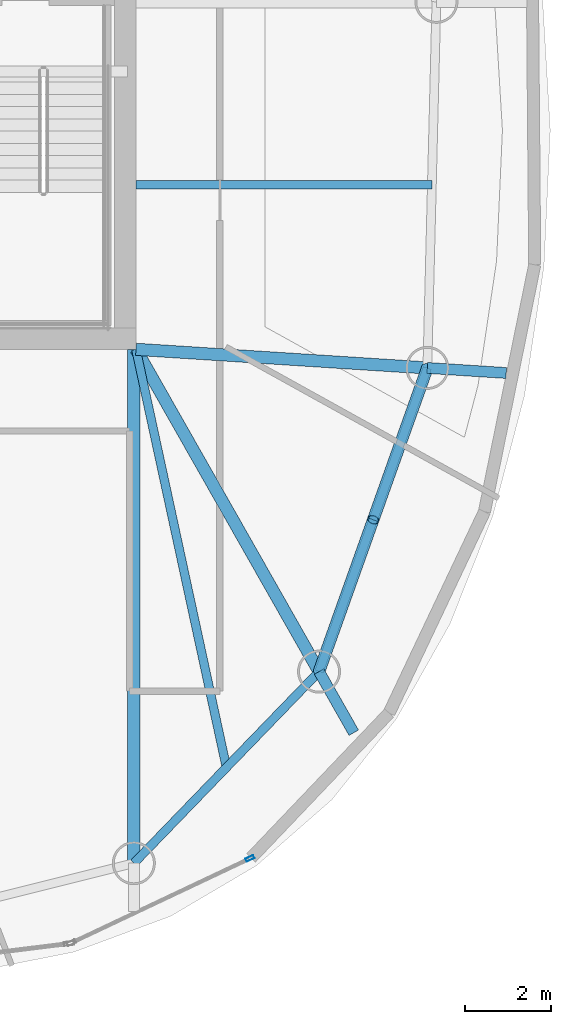
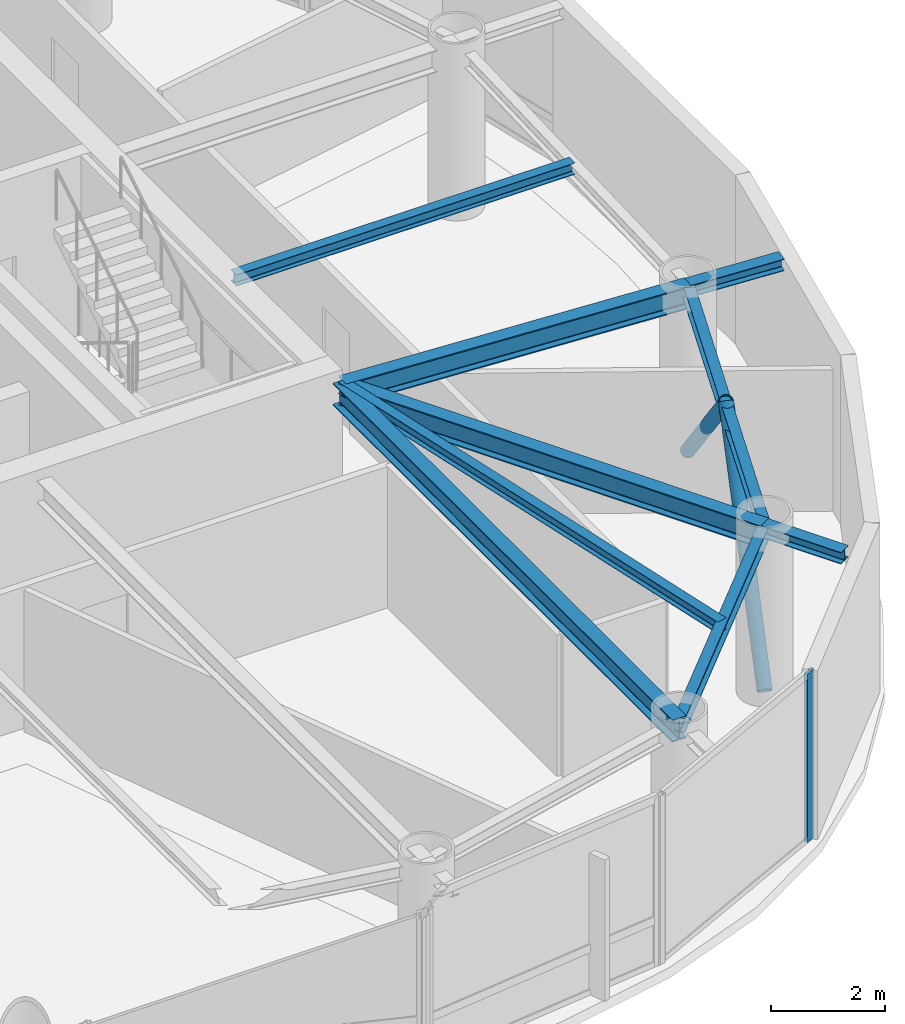
# One storey, part 8 of 21: 9 beams, 3 members, 1 element without a shape of its own.
"""IFC4 building model written with IfcOpenShell, lengths in metres."""

from ifc_helpers import new_model, si_unit, direction, frame, origin, origin_2d, place, context, subcontext, project, spatial, hollow_rectangle, hollow_circle, i_section, extrude, material, layer, layer_set, material_profile, profile_set, type_object, element, aggregate, save


model = new_model("IFC4")

# Units and contexts
model_context = context("Model", 3, precision=1e-05, world=origin(), true_north=direction((0.0, 1.0)))
body_context = subcontext(model_context, "Body", "Model", "MODEL_VIEW")
ifc_project = project(units=[si_unit("LENGTHUNIT", "METRE"), si_unit("AREAUNIT", "SQUARE_METRE"), si_unit("VOLUMEUNIT", "CUBIC_METRE"), si_unit("PLANEANGLEUNIT", "RADIAN"), si_unit("MASSUNIT", "GRAM", prefix="KILO")], contexts=[model_context])

# Site, building, storey
site_placement = place(None, origin())
site = spatial("IfcSite", under=ifc_project, at=site_placement, CompositionType="ELEMENT")
building_placement = place(site_placement, origin())
building = spatial("IfcBuilding", under=site, at=building_placement, Name="Bramvorn Convention Spire", CompositionType="ELEMENT")
storey_placement = place(building_placement, frame((0.0, 0.0, 249.75)))
storey = spatial("IfcBuildingStorey", under=building, at=storey_placement, Name="L63", CompositionType="ELEMENT", Elevation=249.75)

# Beams
ifc_material_1 = material(Name="Steel CSA G40.21 Grade 350 (350W)", Category="steel")
ifc_material_profile_1 = material_profile(ifc_material_1, i_section(OverallWidth=0.201904296875, OverallDepth=0.2470703125, WebThickness=0.00732421875, FlangeThickness=0.010986328125, FilletRadius=0.011962890625, at=origin_2d()))
ifc_profile_set_1 = profile_set([ifc_material_profile_1], Name="Steel CSA G40.21 Grade 350 (350W) - W250X49")
beam_type_1 = type_object("IfcBeamType", Name="BM-W250X49", PredefinedType="JOIST", material=ifc_profile_set_1)
beam_1_placement = place(storey_placement, frame((49.25, 18.550048828125, 3.50146484375), z_axis=(0.211461445939, -0.977386339623, 0.0), x_axis=(0.977386339623, 0.211461445939, 0.0)))
element("IfcBeam", 1, at=beam_1_placement, inside=storey, type_object=beam_type_1, Name="L63 composite floor joist 01", PredefinedType="JOIST", context=body_context, shape_type="SweptSolid", body=[
    extrude(i_section(OverallWidth=0.201904296875, OverallDepth=0.2470703125, WebThickness=0.00732421875, FlangeThickness=0.010986328125, FilletRadius=0.011962890625, at=origin_2d()), origin(), (0.0, 0.0, 1.0), 9.9462890625),
])
beam_2_placement = place(storey_placement, frame((49.25, 22.373046875, 3.50146484375), z_axis=(1.0, 0.0, 0.0), x_axis=(0.0, 1.0, 0.0)))
element("IfcBeam", 2, at=beam_2_placement, inside=storey, type_object=beam_type_1, Name="L63 composite floor joist 03", PredefinedType="JOIST", context=body_context, shape_type="SweptSolid", body=[
    extrude(i_section(OverallWidth=0.201904296875, OverallDepth=0.2470703125, WebThickness=0.00732421875, FlangeThickness=0.010986328125, FilletRadius=0.011962890625, at=origin_2d()), origin(), (0.0, 0.0, 1.0), 6.879150390625),
])
ifc_material_profile_2 = material_profile(ifc_material_1, i_section(OverallWidth=0.25390625, OverallDepth=0.2529296875, WebThickness=0.008544921875, FlangeThickness=0.01416015625, FilletRadius=0.011962890625, at=origin_2d()))
ifc_profile_set_2 = profile_set([ifc_material_profile_2], Name="Steel CSA G40.21 Grade 350 (350W) - W250X73")
beam_type_2 = type_object("IfcBeamType", Name="BM-W250X73", PredefinedType="BEAM", material=ifc_profile_set_2)
beam_3_placement = place(storey_placement, frame((53.50634765625, 11.05615234375, 3.49853515625), z_axis=(0.493932375585, -0.869500321075, 0.0), x_axis=(0.869500321075, 0.493932375585, 0.0)))
element("IfcBeam", 3, at=beam_3_placement, inside=storey, type_object=beam_type_2, Name="L63 slab-edge cantilever tip beam MC02", PredefinedType="BEAM", context=body_context, shape_type="SweptSolid", body=[
    extrude(i_section(OverallWidth=0.25390625, OverallDepth=0.2529296875, WebThickness=0.008544921875, FlangeThickness=0.01416015625, FilletRadius=0.011962890625, at=origin_2d()), origin(), (0.0, 0.0, 1.0), 1.633544921875),
])
beam_4_placement = place(storey_placement, frame((56.023681640625, 18.116455078125, 3.49853515625), z_axis=(0.997956847441, -0.063891553789, 0.0), x_axis=(0.063891553789, 0.997956847441, 0.0)))
element("IfcBeam", 4, at=beam_4_placement, inside=storey, type_object=beam_type_2, Name="L63 slab-edge cantilever tip beam MC03", PredefinedType="BEAM", context=body_context, shape_type="SweptSolid", body=[
    extrude(i_section(OverallWidth=0.25390625, OverallDepth=0.2529296875, WebThickness=0.008544921875, FlangeThickness=0.01416015625, FilletRadius=0.011962890625, at=origin_2d()), origin(), (0.0, 0.0, 1.0), 1.837890625),
])
ifc_material_profile_3 = material_profile(ifc_material_1, i_section(OverallWidth=0.202880859375, OverallDepth=0.302978515625, WebThickness=0.007568359375, FlangeThickness=0.01318359375, FilletRadius=0.013916015625, at=origin_2d()))
ifc_profile_set_3 = profile_set([ifc_material_profile_3], Name="Steel CSA G40.21 Grade 350 (350W) - W310X60")
beam_type_3 = type_object("IfcBeamType", Name="BM-W310X60", PredefinedType="JOIST", material=ifc_profile_set_3)
beam_5_placement = place(storey_placement, frame((49.199951171875, 6.60107421875, 3.473388671875), z_axis=(0.695007159797, 0.719002814898, 0.0), x_axis=(-0.719002814898, 0.695007159797, 0.0)))
element("IfcBeam", 5, at=beam_5_placement, inside=storey, type_object=beam_type_3, Name="L63 mega-column ring beam 01", PredefinedType="JOIST", context=body_context, shape_type="SweptSolid", body=[
    extrude(i_section(OverallWidth=0.202880859375, OverallDepth=0.302978515625, WebThickness=0.007568359375, FlangeThickness=0.01318359375, FilletRadius=0.013916015625, at=origin_2d()), origin(), (0.0, 0.0, 1.0), 6.1962890625),
])
beam_6_placement = place(storey_placement, frame((53.50634765625, 11.05615234375, 3.473388671875), z_axis=(0.335839090413, 0.941919373063, 0.0), x_axis=(-0.941919373063, 0.335839090413, 0.0)))
element("IfcBeam", 6, at=beam_6_placement, inside=storey, type_object=beam_type_3, Name="L63 mega-column ring beam 02", PredefinedType="JOIST", context=body_context, shape_type="SweptSolid", body=[
    extrude(i_section(OverallWidth=0.202880859375, OverallDepth=0.302978515625, WebThickness=0.007568359375, FlangeThickness=0.01318359375, FilletRadius=0.013916015625, at=origin_2d()), origin(), (0.0, 0.0, 1.0), 7.49560546875),
])
ifc_material_profile_4 = material_profile(ifc_material_1, i_section(OverallWidth=0.283935546875, OverallDepth=0.47607421875, WebThickness=0.014892578125, FlangeThickness=0.02392578125, FilletRadius=0.01806640625, at=origin_2d()))
ifc_profile_set_4 = profile_set([ifc_material_profile_4], Name="Steel CSA G40.21 Grade 350 (350W) - W460X158")
beam_type_4 = type_object("IfcBeamType", Name="BM-W460X158", PredefinedType="SPANDREL", material=ifc_profile_set_4)
beam_7_placement = place(storey_placement, frame((49.199951171875, 18.550048828125, 3.386962890625), z_axis=(0.0, -1.0, 0.0), x_axis=(1.0, 0.0, 0.0)))
element("IfcBeam", 7, at=beam_7_placement, inside=storey, type_object=beam_type_4, Name="L63 radial floor girder MC01", PredefinedType="SPANDREL", context=body_context, shape_type="SweptSolid", body=[
    extrude(i_section(OverallWidth=0.283935546875, OverallDepth=0.47607421875, WebThickness=0.014892578125, FlangeThickness=0.02392578125, FilletRadius=0.01806640625, at=origin_2d()), origin(), (0.0, 0.0, 1.0), 11.948974609375),
])
beam_8_placement = place(storey_placement, frame((49.25, 18.550048828125, 3.386962890625), z_axis=(0.493873612118, -0.869533699895, 0.0), x_axis=(0.869533699895, 0.493873612118, 0.0)))
element("IfcBeam", 8, at=beam_8_placement, inside=storey, type_object=beam_type_4, Name="L63 radial floor girder MC02", PredefinedType="SPANDREL", context=body_context, shape_type="SweptSolid", body=[
    extrude(i_section(OverallWidth=0.283935546875, OverallDepth=0.47607421875, WebThickness=0.014892578125, FlangeThickness=0.02392578125, FilletRadius=0.01806640625, at=origin_2d()), origin(), (0.0, 0.0, 1.0), 8.618408203125),
])
beam_9_placement = place(storey_placement, frame((49.25, 18.550048828125, 3.386962890625), z_axis=(0.997957536354, -0.063880792379, 0.0), x_axis=(0.063880792379, 0.997957536354, 0.0)))
element("IfcBeam", 9, at=beam_9_placement, inside=storey, type_object=beam_type_4, Name="L63 radial floor girder MC03", PredefinedType="SPANDREL", context=body_context, shape_type="SweptSolid", body=[
    extrude(i_section(OverallWidth=0.283935546875, OverallDepth=0.47607421875, WebThickness=0.014892578125, FlangeThickness=0.02392578125, FilletRadius=0.01806640625, at=origin_2d()), origin(), (0.0, 0.0, 1.0), 6.78759765625),
])

# Curtain wall, member
ifc_material_2 = material(Name="Anodised Bronze Unitised Curtain Wall", Category="aluminium")
ifc_layer = layer(ifc_material_2, 0.179931640625)
ifc_layer_set = layer_set([ifc_layer], Name="Anodised Bronze Unitised Curtain Wall - CW-OFF-FRIT")
curtain_wall_type = type_object("IfcCurtainWallType", Name="CW-OFF-FRIT", PredefinedType="USERDEFINED", material=ifc_layer_set)
curtain_wall_placement = place(storey_placement, origin())
curtain_wall = element("IfcCurtainWall", 10, at=curtain_wall_placement, inside=storey, type_object=curtain_wall_type, Name="L63 fritted glass curtain wall 24", ObjectType="UNITISED CURTAIN WALL", PredefinedType="USERDEFINED")
ifc_material_3 = material(Name="Anodised Bronze Aluminium 6063-T6", Category="aluminium")
ifc_material_profile_5 = material_profile(ifc_material_3, hollow_rectangle(XDim=0.080078125, YDim=0.199951171875, WallThickness=0.00390625, InnerFilletRadius=0.0009765625, OuterFilletRadius=0.00390625, at=origin_2d()))
ifc_profile_set_5 = profile_set([ifc_material_profile_5], Name="Anodised Bronze Aluminium 6063-T6 - CWM80X200")
member_type_1 = type_object("IfcMemberType", Name="CW-MUL-180", PredefinedType="MULLION", material=ifc_profile_set_5)
member_1_placement = place(storey_placement, frame((51.89990234375, 6.712158203125, 0.0), z_axis=(0.0, 0.0, 1.0), x_axis=(0.427408695539, -0.904058519664, 0.0)))
member_1 = element("IfcMember", 11, at=member_1_placement, type_object=member_type_1, Name="CW3 mullion 1", PredefinedType="MULLION", context=body_context, shape_type="SweptSolid", body=[
    extrude(hollow_rectangle(XDim=0.080078125, YDim=0.199951171875, WallThickness=0.00390625, InnerFilletRadius=0.0009765625, OuterFilletRadius=0.00390625, at=origin_2d()), origin(), (0.0, 0.0, 1.0), 3.625),
])
aggregate(curtain_wall, [member_1])

# Members
ifc_material_profile_6 = material_profile(ifc_material_1, hollow_circle(Radius=0.136474609375, WallThickness=0.0126953125, at=origin_2d()))
ifc_profile_set_6 = profile_set([ifc_material_profile_6], Name="Steel CSA G40.21 Grade 350 (350W) - CHS273X13")
member_type_2 = type_object("IfcMemberType", Name="MBR-CHS273X13", PredefinedType="BRACE", material=ifc_profile_set_6)
member_2_placement = place(storey_placement, frame((53.50634765625, 11.05615234375, 0.0), z_axis=(0.241415019829, 0.677048329465, 0.695215324751), x_axis=(-0.941912743486, 0.335857683639, 0.0)))
element("IfcMember", 12, at=member_2_placement, inside=storey, type_object=member_type_2, Name="L63 perimeter Gothic lancet brace 2A", PredefinedType="BRACE", context=body_context, shape_type="SweptSolid", body=[
    extrude(hollow_circle(Radius=0.136474609375, WallThickness=0.0126953125, at=origin_2d()), origin(), (0.0, 0.0, 1.0), 5.214111328125),
])
member_3_placement = place(storey_placement, frame((56.023681640625, 18.116455078125, 0.0), z_axis=(-0.241378577718, -0.677030621771, 0.695245222495), x_axis=(0.941926002824, -0.335820495509, 0.0)))
element("IfcMember", 13, at=member_3_placement, inside=storey, type_object=member_type_2, Name="L63 perimeter Gothic lancet brace 2B", PredefinedType="BRACE", context=body_context, shape_type="SweptSolid", body=[
    extrude(hollow_circle(Radius=0.136474609375, WallThickness=0.0126953125, at=origin_2d()), origin(), (0.0, 0.0, 1.0), 5.2138671875),
])

save(model, "model.ifc")
